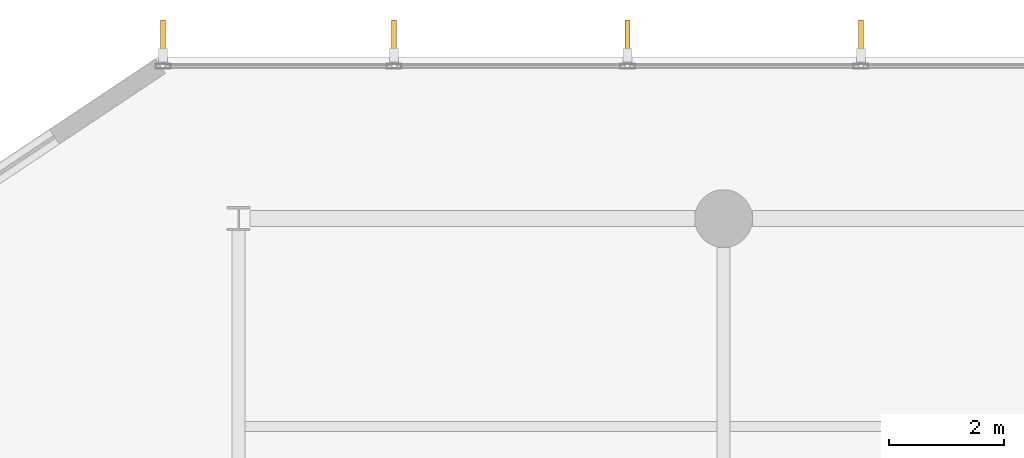
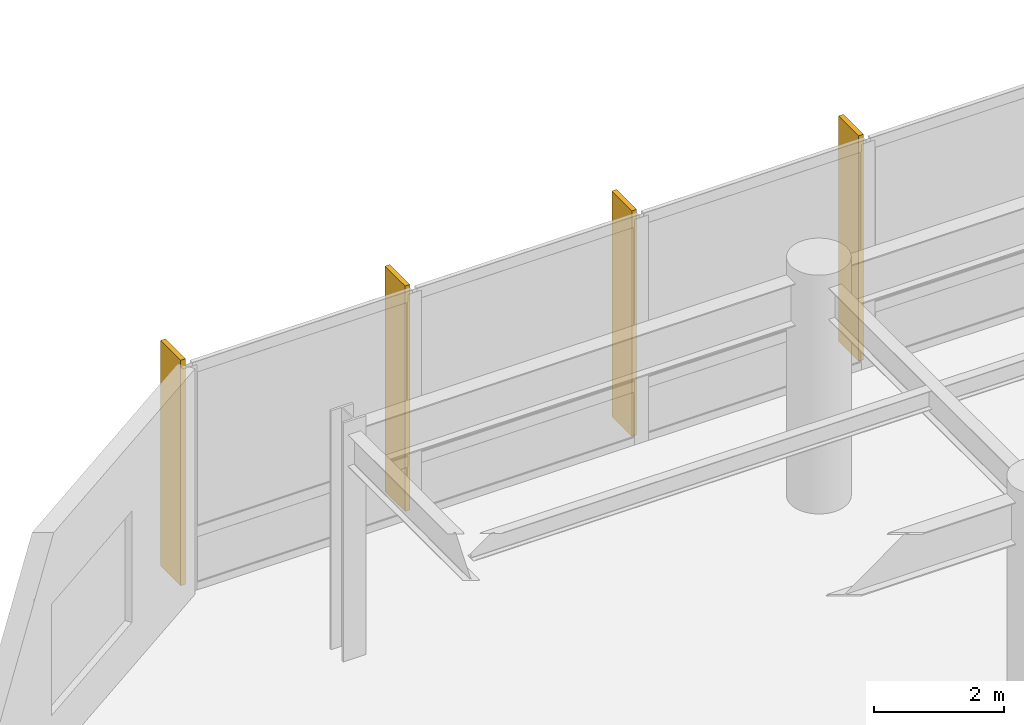
# One storey, part 24 of 26: 4 shading devices.
"""IFC4 building model written with IfcOpenShell, lengths in metres."""

from ifc_helpers import new_model, si_unit, direction, frame, origin, origin_2d, place, context, subcontext, project, spatial, rectangle, extrude, material, layer, layer_set, type_object, element, save


model = new_model("IFC4")

# Units and contexts
model_context = context("Model", 3, precision=1e-05, world=origin(), true_north=direction((0.0, 1.0)))
body_context = subcontext(model_context, "Body", "Model", "MODEL_VIEW")
ifc_project = project(units=[si_unit("LENGTHUNIT", "METRE"), si_unit("AREAUNIT", "SQUARE_METRE"), si_unit("VOLUMEUNIT", "CUBIC_METRE"), si_unit("PLANEANGLEUNIT", "RADIAN"), si_unit("MASSUNIT", "GRAM", prefix="KILO")], contexts=[model_context])

# Site, building, storey
site_placement = place(None, origin())
site = spatial("IfcSite", under=ifc_project, at=site_placement, CompositionType="ELEMENT")
building_placement = place(site_placement, origin())
building = spatial("IfcBuilding", under=site, at=building_placement, Name="Varnakote Quay Hospital", CompositionType="ELEMENT")
storey_placement = place(building_placement, frame((0.0, 0.0, 9.0)))
storey = spatial("IfcBuildingStorey", under=building, at=storey_placement, Name="L02", CompositionType="ELEMENT", Elevation=9.0)

# Shading devices
ifc_material = material(Name="Anodised aluminium 6063-T6 Bronze", Category="aluminium")
ifc_layer = layer(ifc_material, 0.0849609375)
ifc_layer_set = layer_set([ifc_layer], Name="Anodised aluminium 6063-T6 Bronze")
shading_device_type = type_object("IfcShadingDeviceType", Name="SHD-BRONZE-FIN-620", PredefinedType="USERDEFINED", material=ifc_layer_set)
for number, where, z_axis, x_axis, name in (
    (1, (61.178955078125, 47.1298828125, 0.0), (0.0, 0.0, 1.0), (0.0, -1.0, 0.0), "L02 Anodised Bronze Vertical Shading FIN"),
    (2, (57.135498046875, 47.1298828125, 0.0), (0.0, 0.0, 1.0), (0.0, -1.0, 0.0), "L02 Anodised Bronze Vertical Shading FIN"),
    (3, (53.091796875, 47.1298828125, 0.0), (0.0, 0.0, 1.0), (0.0, -1.0, 0.0), "L02 Anodised Bronze Vertical Shading FIN"),
    (4, (49.0908203125, 47.1298828125, 0.0), (0.0, 0.0, 1.0), (0.0, -1.0, 0.0), "L02 Anodised Bronze Vertical Shading FIN"),
):
    element("IfcShadingDevice", number, at=place(storey_placement, frame(where, z_axis=z_axis, x_axis=x_axis)), inside=storey, type_object=shading_device_type, Name=name, ObjectType="FIN", PredefinedType="USERDEFINED", context=body_context, shape_type="SweptSolid", body=[
        extrude(rectangle(XDim=0.6201171875, YDim=0.0849609375, at=origin_2d()), origin(), (0.0, 0.0, 1.0), 4.25),
    ])

save(model, "model.ifc")
